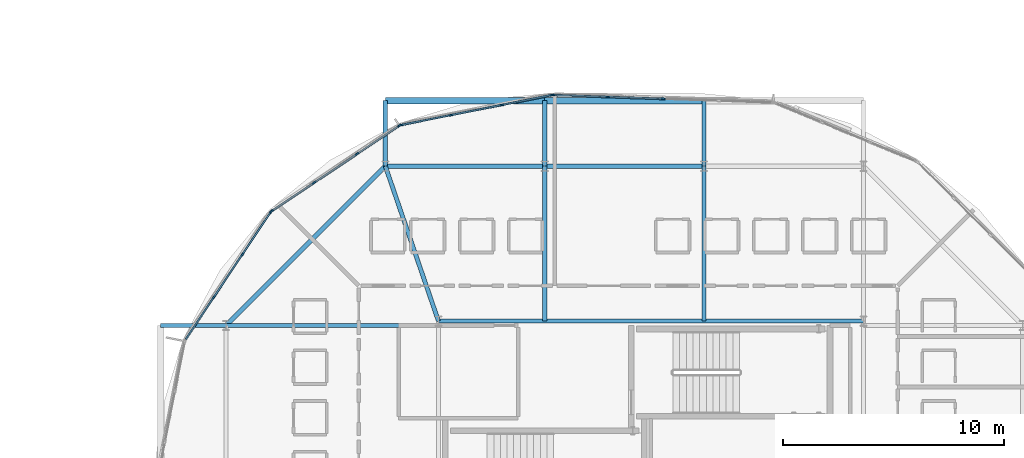
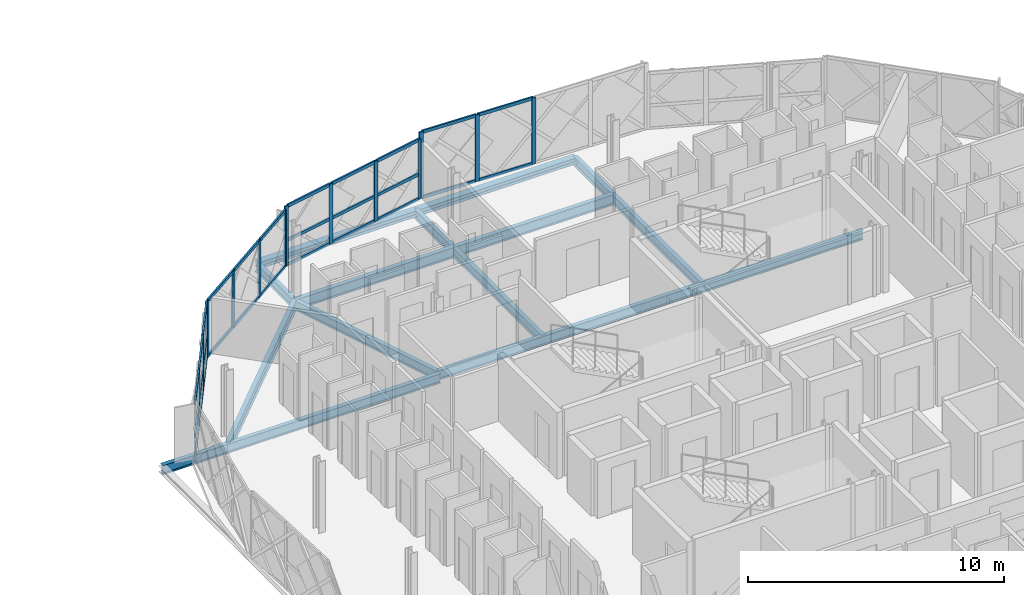
# One storey, part 10 of 25: 42 members, 14 beams, 4 elements without a shape of their own.
"""IFC4 building model written with IfcOpenShell, lengths in metres."""

from ifc_helpers import new_model, si_unit, direction, frame, origin, origin_2d, place, context, subcontext, project, spatial, rectangle, i_section, extrude, material, layer, layer_set, material_profile, profile_set, type_object, element, aggregate, save


model = new_model("IFC4")

# Units and contexts
model_context = context("Model", 3, precision=1e-05, world=origin(), true_north=direction((0.0, 1.0)))
body_context = subcontext(model_context, "Body", "Model", "MODEL_VIEW")
ifc_project = project(units=[si_unit("LENGTHUNIT", "METRE"), si_unit("AREAUNIT", "SQUARE_METRE"), si_unit("VOLUMEUNIT", "CUBIC_METRE"), si_unit("PLANEANGLEUNIT", "RADIAN"), si_unit("MASSUNIT", "GRAM", prefix="KILO")], contexts=[model_context])

# Site, building, storey
site_placement = place(None, origin())
site = spatial("IfcSite", under=ifc_project, at=site_placement, CompositionType="ELEMENT")
building_placement = place(site_placement, origin())
building = spatial("IfcBuilding", under=site, at=building_placement, Name="Zevrakil Square Congress Hotel", CompositionType="ELEMENT")
storey_placement = place(building_placement, frame((0.0, 0.0, 28.300048828125)))
storey = spatial("IfcBuildingStorey", under=building, at=storey_placement, Name="L08", CompositionType="ELEMENT", Elevation=28.300048828125)

# Beams
ifc_material_1 = material(Name="Steel S355", Category="steel")
ifc_material_profile_1 = material_profile(ifc_material_1, i_section(OverallWidth=0.18994140625, OverallDepth=0.449951171875, WebThickness=0.009521484375, FlangeThickness=0.0146484375, FilletRadius=0.02099609375, at=origin_2d()), Name="IPE 450")
ifc_profile_set_1 = profile_set([ifc_material_profile_1], Name="Steel S355")
beam_type_1 = type_object("IfcBeamType", Name="BM-IPE450", PredefinedType="BEAM", material=ifc_profile_set_1)
beam_1_placement = place(storey_placement, frame((156.0, 38.60009765625, -0.43505859375), z_axis=(-1.0, 0.0, 0.0), x_axis=(0.0, -1.0, 0.0)))
element("IfcBeam", 1, at=beam_1_placement, inside=storey, type_object=beam_type_1, Name="L08 drum core perimeter tie beam DCB-03", PredefinedType="BEAM", context=body_context, shape_type="SweptSolid", body=[
    extrude(i_section(OverallWidth=0.18994140625, OverallDepth=0.449951171875, WebThickness=0.009521484375, FlangeThickness=0.0146484375, FilletRadius=0.02099609375, at=origin_2d()), origin(), (0.0, 0.0, 1.0), 19.199951171875),
])
beam_2_placement = place(storey_placement, frame((148.800048828125, 38.60009765625, -0.43505859375), z_axis=(0.0, 1.0, 0.0), x_axis=(-1.0, 0.0, 0.0)))
element("IfcBeam", 2, at=beam_2_placement, inside=storey, type_object=beam_type_1, Name="L08 drum radial floor beam DRI-10", PredefinedType="BEAM", context=body_context, shape_type="SweptSolid", body=[
    extrude(i_section(OverallWidth=0.18994140625, OverallDepth=0.449951171875, WebThickness=0.009521484375, FlangeThickness=0.0146484375, FilletRadius=0.02099609375, at=origin_2d()), origin(), (0.0, 0.0, 1.0), 7.0),
])
beam_3_placement = place(storey_placement, frame((148.800048828125, 45.60009765625, -0.43505859375), z_axis=(0.0, 1.0, 0.0), x_axis=(-1.0, 0.0, 0.0)))
element("IfcBeam", 3, at=beam_3_placement, inside=storey, type_object=beam_type_1, Name="L08 drum radial edge cantilever beam DRO-10", PredefinedType="BEAM", context=body_context, shape_type="SweptSolid", body=[
    extrude(i_section(OverallWidth=0.18994140625, OverallDepth=0.449951171875, WebThickness=0.009521484375, FlangeThickness=0.0146484375, FilletRadius=0.02099609375, at=origin_2d()), origin(), (0.0, 0.0, 1.0), 2.954345703125),
])
beam_4_placement = place(storey_placement, frame((141.60009765625, 38.60009765625, -0.43505859375), z_axis=(0.0, 1.0, 0.0), x_axis=(-1.0, 0.0, 0.0)))
element("IfcBeam", 4, at=beam_4_placement, inside=storey, type_object=beam_type_1, Name="L08 drum radial floor beam DRI-11", PredefinedType="BEAM", context=body_context, shape_type="SweptSolid", body=[
    extrude(i_section(OverallWidth=0.18994140625, OverallDepth=0.449951171875, WebThickness=0.009521484375, FlangeThickness=0.0146484375, FilletRadius=0.02099609375, at=origin_2d()), origin(), (0.0, 0.0, 1.0), 7.0),
])
beam_5_placement = place(storey_placement, frame((141.60009765625, 45.60009765625, -0.43505859375), z_axis=(0.0, 1.0, 0.0), x_axis=(-1.0, 0.0, 0.0)))
element("IfcBeam", 5, at=beam_5_placement, inside=storey, type_object=beam_type_1, Name="L08 drum radial edge cantilever beam DRO-11", PredefinedType="BEAM", context=body_context, shape_type="SweptSolid", body=[
    extrude(i_section(OverallWidth=0.18994140625, OverallDepth=0.449951171875, WebThickness=0.009521484375, FlangeThickness=0.0146484375, FilletRadius=0.02099609375, at=origin_2d()), origin(), (0.0, 0.0, 1.0), 2.954345703125),
])
beam_6_placement = place(storey_placement, frame((136.800048828125, 38.60009765625, -0.43505859375), z_axis=(-0.324342037158, 0.945939872789, 0.0), x_axis=(-0.945939872789, -0.324342037158, 0.0)))
element("IfcBeam", 6, at=beam_6_placement, inside=storey, type_object=beam_type_1, Name="L08 drum radial floor beam DRI-12", PredefinedType="BEAM", context=body_context, shape_type="SweptSolid", body=[
    extrude(i_section(OverallWidth=0.18994140625, OverallDepth=0.449951171875, WebThickness=0.009521484375, FlangeThickness=0.0146484375, FilletRadius=0.02099609375, at=origin_2d()), origin(), (0.0, 0.0, 1.0), 7.400146484375),
])
beam_7_placement = place(storey_placement, frame((134.39990234375, 45.60009765625, -0.43505859375), z_axis=(0.0, 1.0, 0.0), x_axis=(-1.0, 0.0, 0.0)))
element("IfcBeam", 7, at=beam_7_placement, inside=storey, type_object=beam_type_1, Name="L08 drum radial edge cantilever beam DRO-12", PredefinedType="BEAM", context=body_context, shape_type="SweptSolid", body=[
    extrude(i_section(OverallWidth=0.18994140625, OverallDepth=0.449951171875, WebThickness=0.009521484375, FlangeThickness=0.0146484375, FilletRadius=0.02099609375, at=origin_2d()), origin(), (0.0, 0.0, 1.0), 2.954345703125),
])
beam_8_placement = place(storey_placement, frame((136.800048828125, 38.39990234375, -0.43505859375), z_axis=(-1.0, 0.0, 0.0), x_axis=(0.0, -1.0, 0.0)))
element("IfcBeam", 8, at=beam_8_placement, inside=storey, type_object=beam_type_1, Name="L08 drum radial floor beam DRI-13", PredefinedType="BEAM", context=body_context, shape_type="SweptSolid", body=[
    extrude(i_section(OverallWidth=0.18994140625, OverallDepth=0.449951171875, WebThickness=0.009521484375, FlangeThickness=0.0146484375, FilletRadius=0.02099609375, at=origin_2d()), origin(), (0.0, 0.0, 1.0), 9.60009765625),
])
beam_9_placement = place(storey_placement, frame((127.199951171875, 38.39990234375, -0.43505859375), z_axis=(-1.0, 0.0, 0.0), x_axis=(0.0, -1.0, 0.0)))
element("IfcBeam", 9, at=beam_9_placement, inside=storey, type_object=beam_type_1, Name="L08 drum radial edge cantilever beam DRO-13", PredefinedType="BEAM", context=body_context, shape_type="SweptSolid", body=[
    extrude(i_section(OverallWidth=0.18994140625, OverallDepth=0.449951171875, WebThickness=0.009521484375, FlangeThickness=0.0146484375, FilletRadius=0.02099609375, at=origin_2d()), origin(), (0.0, 0.0, 1.0), 2.954345703125),
])
ifc_material_2 = material(Name="Steel S355", Category="steel")
ifc_material_profile_2 = material_profile(ifc_material_2, i_section(OverallWidth=0.199951171875, OverallDepth=0.5, WebThickness=0.01025390625, FlangeThickness=0.01611328125, FilletRadius=0.02099609375, at=origin_2d()), Name="IPE 500")
ifc_profile_set_2 = profile_set([ifc_material_profile_2], Name="Steel S355")
beam_type_2 = type_object("IfcBeamType", Name="BM-IPE500", PredefinedType="BEAM", material=ifc_profile_set_2)
beam_10_placement = place(storey_placement, frame((148.800048828125, 45.60009765625, -0.4599609375), z_axis=(-1.0, 0.0, 0.0), x_axis=(0.0, -1.0, 0.0)))
element("IfcBeam", 10, at=beam_10_placement, inside=storey, type_object=beam_type_2, Name="L08 drum ring girder DRB-10", PredefinedType="BEAM", context=body_context, shape_type="SweptSolid", body=[
    extrude(i_section(OverallWidth=0.199951171875, OverallDepth=0.5, WebThickness=0.01025390625, FlangeThickness=0.01611328125, FilletRadius=0.02099609375, at=origin_2d()), origin(), (0.0, 0.0, 1.0), 7.199951171875),
])
beam_11_placement = place(storey_placement, frame((141.60009765625, 45.60009765625, -0.4599609375), z_axis=(-1.0, 0.0, 0.0), x_axis=(0.0, -1.0, 0.0)))
element("IfcBeam", 11, at=beam_11_placement, inside=storey, type_object=beam_type_2, Name="L08 drum ring girder DRB-11", PredefinedType="BEAM", context=body_context, shape_type="SweptSolid", body=[
    extrude(i_section(OverallWidth=0.199951171875, OverallDepth=0.5, WebThickness=0.01025390625, FlangeThickness=0.01611328125, FilletRadius=0.02099609375, at=origin_2d()), origin(), (0.0, 0.0, 1.0), 7.2001953125),
])
beam_12_placement = place(storey_placement, frame((134.39990234375, 45.60009765625, -0.4599609375), z_axis=(-0.70709479277, -0.7071187694, 0.0), x_axis=(0.7071187694, -0.70709479277, 0.0)))
element("IfcBeam", 12, at=beam_12_placement, inside=storey, type_object=beam_type_2, Name="L08 drum ring girder DRB-12", PredefinedType="BEAM", context=body_context, shape_type="SweptSolid", body=[
    extrude(i_section(OverallWidth=0.199951171875, OverallDepth=0.5, WebThickness=0.01025390625, FlangeThickness=0.01611328125, FilletRadius=0.02099609375, at=origin_2d()), origin(), (0.0, 0.0, 1.0), 10.182373046875),
])

# Curtain wall, members
ifc_material_3 = material(Name="Aluminium Anodised Bronze", Category="aluminium")
ifc_layer_1 = layer(ifc_material_3, 0.179931640625)
ifc_layer_set_1 = layer_set([ifc_layer_1], Name="Aluminium Anodised Bronze")
curtain_wall_type_1 = type_object("IfcCurtainWallType", Name="CW-L08-900", PredefinedType="USERDEFINED", material=ifc_layer_set_1)
curtain_wall_1_placement = place(storey_placement, origin())
curtain_wall_1 = element("IfcCurtainWall", 13, at=curtain_wall_1_placement, inside=storey, type_object=curtain_wall_type_1, Name="L08 diamond curtain wall CW-L08-0243", ObjectType="GLAZED CURTAIN WALL", PredefinedType="USERDEFINED")
ifc_material_4 = material(Name="Aluminium Anodised Bronze", Category="aluminium")
ifc_material_profile_3 = material_profile(ifc_material_4, rectangle(XDim=0.074951171875, YDim=0.14990234375, at=origin_2d()), Name="ALU 75x150")
ifc_profile_set_3 = profile_set([ifc_material_profile_3], Name="Aluminium Anodised Bronze")
member_type_1 = type_object("IfcMemberType", Name="CWM-ALU75x150", PredefinedType="USERDEFINED", material=ifc_profile_set_3)
member_1_placement = place(storey_placement, frame((146.92138671875, 48.64306640625, 0.030029296875), z_axis=(-0.999407420419, 0.034421040236, 0.0), x_axis=(-0.034421040236, -0.999407420419, 0.0)))
member_1 = element("IfcMember", 14, at=member_1_placement, type_object=member_type_1, Name="CW-96 transom 3.1", ObjectType="TRANSOM", PredefinedType="USERDEFINED", context=body_context, shape_type="SweptSolid", body=[
    extrude(rectangle(XDim=0.074951171875, YDim=0.14990234375, at=origin_2d()), origin(), (0.0, 0.0, 1.0), 2.447021484375),
])
member_2_placement = place(storey_placement, frame((146.92138671875, 48.64306640625, 3.14501953125), z_axis=(-0.999407420419, 0.034421040236, 0.0), x_axis=(-0.034421040236, -0.999407420419, 0.0)))
member_2 = element("IfcMember", 15, at=member_2_placement, type_object=member_type_1, Name="CW-96 transom 3.2", ObjectType="TRANSOM", PredefinedType="USERDEFINED", context=body_context, shape_type="SweptSolid", body=[
    extrude(rectangle(XDim=0.074951171875, YDim=0.14990234375, at=origin_2d()), origin(), (0.0, 0.0, 1.0), 2.447021484375),
])
member_3_placement = place(storey_placement, frame((144.416015625, 48.729248046875, 0.030029296875), z_axis=(-0.999406599032, 0.034444880763, 0.0), x_axis=(-0.034444880763, -0.999406599032, 0.0)))
member_3 = element("IfcMember", 16, at=member_3_placement, type_object=member_type_1, Name="CW-96 transom 4.1", ObjectType="TRANSOM", PredefinedType="USERDEFINED", context=body_context, shape_type="SweptSolid", body=[
    extrude(rectangle(XDim=0.074951171875, YDim=0.14990234375, at=origin_2d()), origin(), (0.0, 0.0, 1.0), 2.4169921875),
])
member_4_placement = place(storey_placement, frame((144.416015625, 48.729248046875, 3.14501953125), z_axis=(-0.999406599032, 0.034444880763, 0.0), x_axis=(-0.034444880763, -0.999406599032, 0.0)))
member_4 = element("IfcMember", 17, at=member_4_placement, type_object=member_type_1, Name="CW-96 transom 4.2", ObjectType="TRANSOM", PredefinedType="USERDEFINED", context=body_context, shape_type="SweptSolid", body=[
    extrude(rectangle(XDim=0.074951171875, YDim=0.14990234375, at=origin_2d()), origin(), (0.0, 0.0, 1.0), 2.4169921875),
])

ifc_material_5 = material(Name="Aluminium Anodised Bronze", Category="aluminium")
ifc_layer_2 = layer(ifc_material_5, 0.179931640625)
ifc_layer_set_2 = layer_set([ifc_layer_2], Name="Aluminium Anodised Bronze")
curtain_wall_type_2 = type_object("IfcCurtainWallType", Name="CW-L08-720", PredefinedType="USERDEFINED", material=ifc_layer_set_2)
curtain_wall_2_placement = place(storey_placement, origin())
curtain_wall_2 = element("IfcCurtainWall", 18, at=curtain_wall_2_placement, inside=storey, type_object=curtain_wall_type_2, Name="L08 diamond curtain wall CW-L08-0244", ObjectType="GLAZED CURTAIN WALL", PredefinedType="USERDEFINED")
member_5_placement = place(storey_placement, frame((141.881591796875, 48.802734375, 0.030029296875), z_axis=(-0.98078922397, -0.195070495322, 0.0), x_axis=(0.195070495322, -0.98078922397, 0.0)))
member_5 = element("IfcMember", 19, at=member_5_placement, type_object=member_type_1, Name="CW-94 transom 1.1", ObjectType="TRANSOM", PredefinedType="USERDEFINED", context=body_context, shape_type="SweptSolid", body=[
    extrude(rectangle(XDim=0.074951171875, YDim=0.14990234375, at=origin_2d()), origin(), (0.0, 0.0, 1.0), 2.245361328125),
])
member_6_placement = place(storey_placement, frame((141.881591796875, 48.802734375, 1.201171875), z_axis=(-0.98078922397, -0.195070495322, 0.0), x_axis=(0.195070495322, -0.98078922397, 0.0)))
member_6 = element("IfcMember", 20, at=member_6_placement, type_object=member_type_1, Name="CW-94 transom 1.2", ObjectType="TRANSOM", PredefinedType="USERDEFINED", context=body_context, shape_type="SweptSolid", body=[
    extrude(rectangle(XDim=0.074951171875, YDim=0.14990234375, at=origin_2d()), origin(), (0.0, 0.0, 1.0), 2.245361328125),
])
member_7_placement = place(storey_placement, frame((141.881591796875, 48.802734375, 2.829833984375), z_axis=(-0.98078922397, -0.195070495322, 0.0), x_axis=(0.195070495322, -0.98078922397, 0.0)))
member_7 = element("IfcMember", 21, at=member_7_placement, type_object=member_type_1, Name="CW-94 transom 1.3", ObjectType="TRANSOM", PredefinedType="USERDEFINED", context=body_context, shape_type="SweptSolid", body=[
    extrude(rectangle(XDim=0.074951171875, YDim=0.14990234375, at=origin_2d()), origin(), (0.0, 0.0, 1.0), 2.245361328125),
])
member_8_placement = place(storey_placement, frame((139.62060546875, 48.35302734375, 0.030029296875), z_axis=(-0.980786492568, -0.195084227953, 0.0), x_axis=(0.195084227953, -0.980786492568, 0.0)))
member_8 = element("IfcMember", 22, at=member_8_placement, type_object=member_type_1, Name="CW-94 transom 2.1", ObjectType="TRANSOM", PredefinedType="USERDEFINED", context=body_context, shape_type="SweptSolid", body=[
    extrude(rectangle(XDim=0.074951171875, YDim=0.14990234375, at=origin_2d()), origin(), (0.0, 0.0, 1.0), 2.275146484375),
])
member_9_placement = place(storey_placement, frame((139.62060546875, 48.35302734375, 1.201171875), z_axis=(-0.980786492568, -0.195084227953, 0.0), x_axis=(0.195084227953, -0.980786492568, 0.0)))
member_9 = element("IfcMember", 23, at=member_9_placement, type_object=member_type_1, Name="CW-94 transom 2.2", ObjectType="TRANSOM", PredefinedType="USERDEFINED", context=body_context, shape_type="SweptSolid", body=[
    extrude(rectangle(XDim=0.074951171875, YDim=0.14990234375, at=origin_2d()), origin(), (0.0, 0.0, 1.0), 2.275146484375),
])
member_10_placement = place(storey_placement, frame((139.62060546875, 48.35302734375, 2.829833984375), z_axis=(-0.980786492568, -0.195084227953, 0.0), x_axis=(0.195084227953, -0.980786492568, 0.0)))
member_10 = element("IfcMember", 24, at=member_10_placement, type_object=member_type_1, Name="CW-94 transom 2.3", ObjectType="TRANSOM", PredefinedType="USERDEFINED", context=body_context, shape_type="SweptSolid", body=[
    extrude(rectangle(XDim=0.074951171875, YDim=0.14990234375, at=origin_2d()), origin(), (0.0, 0.0, 1.0), 2.275146484375),
])
member_11_placement = place(storey_placement, frame((137.330322265625, 47.8974609375, 0.030029296875), z_axis=(-0.98078922397, -0.195070495322, 0.0), x_axis=(0.195070495322, -0.98078922397, 0.0)))
member_11 = element("IfcMember", 25, at=member_11_placement, type_object=member_type_1, Name="CW-94 transom 3.1", ObjectType="TRANSOM", PredefinedType="USERDEFINED", context=body_context, shape_type="SweptSolid", body=[
    extrude(rectangle(XDim=0.074951171875, YDim=0.14990234375, at=origin_2d()), origin(), (0.0, 0.0, 1.0), 2.245361328125),
])
member_12_placement = place(storey_placement, frame((137.330322265625, 47.8974609375, 1.201171875), z_axis=(-0.98078922397, -0.195070495322, 0.0), x_axis=(0.195070495322, -0.98078922397, 0.0)))
member_12 = element("IfcMember", 26, at=member_12_placement, type_object=member_type_1, Name="CW-94 transom 3.2", ObjectType="TRANSOM", PredefinedType="USERDEFINED", context=body_context, shape_type="SweptSolid", body=[
    extrude(rectangle(XDim=0.074951171875, YDim=0.14990234375, at=origin_2d()), origin(), (0.0, 0.0, 1.0), 2.245361328125),
])
member_13_placement = place(storey_placement, frame((137.330322265625, 47.8974609375, 2.829833984375), z_axis=(-0.98078922397, -0.195070495322, 0.0), x_axis=(0.195070495322, -0.98078922397, 0.0)))
member_13 = element("IfcMember", 27, at=member_13_placement, type_object=member_type_1, Name="CW-94 transom 3.3", ObjectType="TRANSOM", PredefinedType="USERDEFINED", context=body_context, shape_type="SweptSolid", body=[
    extrude(rectangle(XDim=0.074951171875, YDim=0.14990234375, at=origin_2d()), origin(), (0.0, 0.0, 1.0), 2.245361328125),
])

curtain_wall_3_placement = place(storey_placement, origin())
curtain_wall_3 = element("IfcCurtainWall", 28, at=curtain_wall_3_placement, inside=storey, type_object=curtain_wall_type_2, Name="L08 diamond curtain wall CW-L08-0245", ObjectType="GLAZED CURTAIN WALL", PredefinedType="USERDEFINED")
member_14_placement = place(storey_placement, frame((135.01953125, 47.41455078125, 0.030029296875), z_axis=(-0.831447614853, -0.555603153119, 0.0), x_axis=(0.555603153119, -0.831447614853, 0.0)))
member_14 = element("IfcMember", 29, at=member_14_placement, type_object=member_type_1, Name="CW-94 transom 1.1", ObjectType="TRANSOM", PredefinedType="USERDEFINED", context=body_context, shape_type="SweptSolid", body=[
    extrude(rectangle(XDim=0.074951171875, YDim=0.14990234375, at=origin_2d()), origin(), (0.0, 0.0, 1.0), 2.245361328125),
])
member_15_placement = place(storey_placement, frame((135.01953125, 47.41455078125, 2.679931640625), z_axis=(-0.831447614853, -0.555603153119, 0.0), x_axis=(0.555603153119, -0.831447614853, 0.0)))
member_15 = element("IfcMember", 30, at=member_15_placement, type_object=member_type_1, Name="CW-94 transom 1.2", ObjectType="TRANSOM", PredefinedType="USERDEFINED", context=body_context, shape_type="SweptSolid", body=[
    extrude(rectangle(XDim=0.074951171875, YDim=0.14990234375, at=origin_2d()), origin(), (0.0, 0.0, 1.0), 2.245361328125),
])
member_16_placement = place(storey_placement, frame((133.102783203125, 46.1337890625, 0.030029296875), z_axis=(-0.831455548606, -0.555591280253, 0.0), x_axis=(0.555591280253, -0.831455548606, 0.0)))
member_16 = element("IfcMember", 31, at=member_16_placement, type_object=member_type_1, Name="CW-94 transom 2.1", ObjectType="TRANSOM", PredefinedType="USERDEFINED", context=body_context, shape_type="SweptSolid", body=[
    extrude(rectangle(XDim=0.074951171875, YDim=0.14990234375, at=origin_2d()), origin(), (0.0, 0.0, 1.0), 2.275390625),
])
member_17_placement = place(storey_placement, frame((133.102783203125, 46.1337890625, 2.679931640625), z_axis=(-0.831455548606, -0.555591280253, 0.0), x_axis=(0.555591280253, -0.831455548606, 0.0)))
member_17 = element("IfcMember", 32, at=member_17_placement, type_object=member_type_1, Name="CW-94 transom 2.2", ObjectType="TRANSOM", PredefinedType="USERDEFINED", context=body_context, shape_type="SweptSolid", body=[
    extrude(rectangle(XDim=0.074951171875, YDim=0.14990234375, at=origin_2d()), origin(), (0.0, 0.0, 1.0), 2.275390625),
])
member_18_placement = place(storey_placement, frame((131.1611328125, 44.83642578125, 0.030029296875), z_axis=(-0.831447614853, -0.555603153119, 0.0), x_axis=(0.555603153119, -0.831447614853, 0.0)))
member_18 = element("IfcMember", 33, at=member_18_placement, type_object=member_type_1, Name="CW-94 transom 3.1", ObjectType="TRANSOM", PredefinedType="USERDEFINED", context=body_context, shape_type="SweptSolid", body=[
    extrude(rectangle(XDim=0.074951171875, YDim=0.14990234375, at=origin_2d()), origin(), (0.0, 0.0, 1.0), 2.245361328125),
])
member_19_placement = place(storey_placement, frame((131.1611328125, 44.83642578125, 2.679931640625), z_axis=(-0.831447614853, -0.555603153119, 0.0), x_axis=(0.555603153119, -0.831447614853, 0.0)))
member_19 = element("IfcMember", 34, at=member_19_placement, type_object=member_type_1, Name="CW-94 transom 3.2", ObjectType="TRANSOM", PredefinedType="USERDEFINED", context=body_context, shape_type="SweptSolid", body=[
    extrude(rectangle(XDim=0.074951171875, YDim=0.14990234375, at=origin_2d()), origin(), (0.0, 0.0, 1.0), 2.245361328125),
])

curtain_wall_4_placement = place(storey_placement, origin())
curtain_wall_4 = element("IfcCurtainWall", 35, at=curtain_wall_4_placement, inside=storey, type_object=curtain_wall_type_2, Name="L08 diamond curtain wall CW-L08-0246", ObjectType="GLAZED CURTAIN WALL", PredefinedType="USERDEFINED")
member_20_placement = place(storey_placement, frame((129.211181640625, 43.505615234375, 0.030029296875), z_axis=(-0.555653384358, -0.83141404634, 0.0), x_axis=(0.83141404634, -0.555653384358, 0.0)))
member_20 = element("IfcMember", 36, at=member_20_placement, type_object=member_type_1, Name="CW-94 transom 1.1", ObjectType="TRANSOM", PredefinedType="USERDEFINED", context=body_context, shape_type="SweptSolid", body=[
    extrude(rectangle(XDim=0.074951171875, YDim=0.14990234375, at=origin_2d()), origin(), (0.0, 0.0, 1.0), 2.2451171875),
])
member_21_placement = place(storey_placement, frame((129.211181640625, 43.505615234375, 1.13818359375), z_axis=(-0.555653384358, -0.83141404634, 0.0), x_axis=(0.83141404634, -0.555653384358, 0.0)))
member_21 = element("IfcMember", 37, at=member_21_placement, type_object=member_type_1, Name="CW-94 transom 1.2", ObjectType="TRANSOM", PredefinedType="USERDEFINED", context=body_context, shape_type="SweptSolid", body=[
    extrude(rectangle(XDim=0.074951171875, YDim=0.14990234375, at=origin_2d()), origin(), (0.0, 0.0, 1.0), 2.2451171875),
])
member_22_placement = place(storey_placement, frame((129.211181640625, 43.505615234375, 2.679931640625), z_axis=(-0.555653384358, -0.83141404634, 0.0), x_axis=(0.83141404634, -0.555653384358, 0.0)))
member_22 = element("IfcMember", 38, at=member_22_placement, type_object=member_type_1, Name="CW-94 transom 1.3", ObjectType="TRANSOM", PredefinedType="USERDEFINED", context=body_context, shape_type="SweptSolid", body=[
    extrude(rectangle(XDim=0.074951171875, YDim=0.14990234375, at=origin_2d()), origin(), (0.0, 0.0, 1.0), 2.2451171875),
])
member_23_placement = place(storey_placement, frame((127.930419921875, 41.589111328125, 0.030029296875), z_axis=(-0.555591280253, -0.831455548606, 0.0), x_axis=(0.831455548606, -0.555591280253, 0.0)))
member_23 = element("IfcMember", 39, at=member_23_placement, type_object=member_type_1, Name="CW-94 transom 2.1", ObjectType="TRANSOM", PredefinedType="USERDEFINED", context=body_context, shape_type="SweptSolid", body=[
    extrude(rectangle(XDim=0.074951171875, YDim=0.14990234375, at=origin_2d()), origin(), (0.0, 0.0, 1.0), 2.275390625),
])
member_24_placement = place(storey_placement, frame((127.930419921875, 41.589111328125, 1.13818359375), z_axis=(-0.555591280253, -0.831455548606, 0.0), x_axis=(0.831455548606, -0.555591280253, 0.0)))
member_24 = element("IfcMember", 40, at=member_24_placement, type_object=member_type_1, Name="CW-94 transom 2.2", ObjectType="TRANSOM", PredefinedType="USERDEFINED", context=body_context, shape_type="SweptSolid", body=[
    extrude(rectangle(XDim=0.074951171875, YDim=0.14990234375, at=origin_2d()), origin(), (0.0, 0.0, 1.0), 2.275390625),
])
member_25_placement = place(storey_placement, frame((127.930419921875, 41.589111328125, 2.679931640625), z_axis=(-0.555591280253, -0.831455548606, 0.0), x_axis=(0.831455548606, -0.555591280253, 0.0)))
member_25 = element("IfcMember", 41, at=member_25_placement, type_object=member_type_1, Name="CW-94 transom 2.3", ObjectType="TRANSOM", PredefinedType="USERDEFINED", context=body_context, shape_type="SweptSolid", body=[
    extrude(rectangle(XDim=0.074951171875, YDim=0.14990234375, at=origin_2d()), origin(), (0.0, 0.0, 1.0), 2.275390625),
])
member_26_placement = place(storey_placement, frame((126.6328125, 39.647216796875, 0.030029296875), z_axis=(-0.555578212179, -0.831464280743, 0.0), x_axis=(0.831464280743, -0.555578212179, 0.0)))
member_26 = element("IfcMember", 42, at=member_26_placement, type_object=member_type_1, Name="CW-94 transom 3.1", ObjectType="TRANSOM", PredefinedType="USERDEFINED", context=body_context, shape_type="SweptSolid", body=[
    extrude(rectangle(XDim=0.074951171875, YDim=0.14990234375, at=origin_2d()), origin(), (0.0, 0.0, 1.0), 2.2451171875),
])
member_27_placement = place(storey_placement, frame((126.6328125, 39.647216796875, 1.13818359375), z_axis=(-0.555578212179, -0.831464280743, 0.0), x_axis=(0.831464280743, -0.555578212179, 0.0)))
member_27 = element("IfcMember", 43, at=member_27_placement, type_object=member_type_1, Name="CW-94 transom 3.2", ObjectType="TRANSOM", PredefinedType="USERDEFINED", context=body_context, shape_type="SweptSolid", body=[
    extrude(rectangle(XDim=0.074951171875, YDim=0.14990234375, at=origin_2d()), origin(), (0.0, 0.0, 1.0), 2.2451171875),
])
member_28_placement = place(storey_placement, frame((126.6328125, 39.647216796875, 2.679931640625), z_axis=(-0.555578212179, -0.831464280743, 0.0), x_axis=(0.831464280743, -0.555578212179, 0.0)))
member_28 = element("IfcMember", 44, at=member_28_placement, type_object=member_type_1, Name="CW-94 transom 3.3", ObjectType="TRANSOM", PredefinedType="USERDEFINED", context=body_context, shape_type="SweptSolid", body=[
    extrude(rectangle(XDim=0.074951171875, YDim=0.14990234375, at=origin_2d()), origin(), (0.0, 0.0, 1.0), 2.2451171875),
])

# Member
ifc_material_6 = material(Name="Aluminium Anodised Bronze", Category="aluminium")
ifc_material_profile_4 = material_profile(ifc_material_6, rectangle(XDim=0.074951171875, YDim=0.179931640625, at=origin_2d()), Name="ALU 75x180")
ifc_profile_set_4 = profile_set([ifc_material_profile_4], Name="Aluminium Anodised Bronze")
member_type_2 = type_object("IfcMemberType", Name="CWM-ALU75x180", PredefinedType="MULLION", material=ifc_profile_set_4)
member_29_placement = place(storey_placement, frame((146.951416015625, 48.64208984375, 0.0), z_axis=(0.0, 0.0, 1.0), x_axis=(-0.034404573593, -0.999407987418, 0.0)))
member_29 = element("IfcMember", 45, at=member_29_placement, type_object=member_type_2, Name="CW-96 mullion 3", PredefinedType="MULLION", context=body_context, shape_type="SweptSolid", body=[
    extrude(rectangle(XDim=0.074951171875, YDim=0.179931640625, at=origin_2d()), origin(), (0.0, 0.0, 1.0), 3.175048828125),
])

member_30_placement = place(storey_placement, frame((144.446044921875, 48.728271484375, 0.0), z_axis=(0.0, 0.0, 1.0), x_axis=(-0.034404573593, -0.999407987418, 0.0)))
member_30 = element("IfcMember", 46, at=member_30_placement, type_object=member_type_2, Name="CW-96 mullion 4", PredefinedType="MULLION", context=body_context, shape_type="SweptSolid", body=[
    extrude(rectangle(XDim=0.074951171875, YDim=0.179931640625, at=origin_2d()), origin(), (0.0, 0.0, 1.0), 3.175048828125),
])

member_31_placement = place(storey_placement, frame((141.970458984375, 48.8134765625, 0.0), z_axis=(0.0, 0.0, 1.0), x_axis=(-0.034404573593, -0.999407987418, 0.0)))
member_31 = element("IfcMember", 47, at=member_31_placement, type_object=member_type_2, Name="CW-96 mullion 5", PredefinedType="MULLION", context=body_context, shape_type="SweptSolid", body=[
    extrude(rectangle(XDim=0.074951171875, YDim=0.179931640625, at=origin_2d()), origin(), (0.0, 0.0, 1.0), 3.175048828125),
])

aggregate(curtain_wall_1, [member_29, member_30, member_31, member_1, member_2, member_3, member_4])

member_32_placement = place(storey_placement, frame((141.9111328125, 48.80859375, 0.0), z_axis=(0.0, 0.0, 1.0), x_axis=(0.195083900459, -0.980786557708, 0.0)))
member_32 = element("IfcMember", 48, at=member_32_placement, type_object=member_type_2, Name="CW-94 mullion 1", PredefinedType="MULLION", context=body_context, shape_type="SweptSolid", body=[
    extrude(rectangle(XDim=0.074951171875, YDim=0.179931640625, at=origin_2d()), origin(), (0.0, 0.0, 1.0), 2.85986328125),
])

member_33_placement = place(storey_placement, frame((139.650146484375, 48.35888671875, 0.0), z_axis=(0.0, 0.0, 1.0), x_axis=(0.195083900459, -0.980786557708, 0.0)))
member_33 = element("IfcMember", 49, at=member_33_placement, type_object=member_type_2, Name="CW-94 mullion 2", PredefinedType="MULLION", context=body_context, shape_type="SweptSolid", body=[
    extrude(rectangle(XDim=0.074951171875, YDim=0.179931640625, at=origin_2d()), origin(), (0.0, 0.0, 1.0), 2.85986328125),
])

member_34_placement = place(storey_placement, frame((137.35986328125, 47.9033203125, 0.0), z_axis=(0.0, 0.0, 1.0), x_axis=(0.195083900459, -0.980786557708, 0.0)))
member_34 = element("IfcMember", 50, at=member_34_placement, type_object=member_type_2, Name="CW-94 mullion 3", PredefinedType="MULLION", context=body_context, shape_type="SweptSolid", body=[
    extrude(rectangle(XDim=0.074951171875, YDim=0.179931640625, at=origin_2d()), origin(), (0.0, 0.0, 1.0), 2.85986328125),
])

member_35_placement = place(storey_placement, frame((135.098876953125, 47.45361328125, 0.0), z_axis=(0.0, 0.0, 1.0), x_axis=(0.195083900459, -0.980786557708, 0.0)))
member_35 = element("IfcMember", 51, at=member_35_placement, type_object=member_type_2, Name="CW-94 mullion 4", PredefinedType="MULLION", context=body_context, shape_type="SweptSolid", body=[
    extrude(rectangle(XDim=0.074951171875, YDim=0.179931640625, at=origin_2d()), origin(), (0.0, 0.0, 1.0), 2.85986328125),
])

aggregate(curtain_wall_2, [member_32, member_33, member_34, member_35, member_5, member_6, member_7, member_8, member_9, member_10, member_11, member_12, member_13])

member_36_placement = place(storey_placement, frame((135.04443359375, 47.43115234375, 0.0), z_axis=(0.0, 0.0, 1.0), x_axis=(0.555576098128, -0.831465693332, 0.0)))
member_36 = element("IfcMember", 52, at=member_36_placement, type_object=member_type_2, Name="CW-94 mullion 1", PredefinedType="MULLION", context=body_context, shape_type="SweptSolid", body=[
    extrude(rectangle(XDim=0.074951171875, YDim=0.179931640625, at=origin_2d()), origin(), (0.0, 0.0, 1.0), 2.7099609375),
])

member_37_placement = place(storey_placement, frame((133.127685546875, 46.150390625, 0.0), z_axis=(0.0, 0.0, 1.0), x_axis=(0.555576098128, -0.831465693332, 0.0)))
member_37 = element("IfcMember", 53, at=member_37_placement, type_object=member_type_2, Name="CW-94 mullion 2", PredefinedType="MULLION", context=body_context, shape_type="SweptSolid", body=[
    extrude(rectangle(XDim=0.074951171875, YDim=0.179931640625, at=origin_2d()), origin(), (0.0, 0.0, 1.0), 2.7099609375),
])

member_38_placement = place(storey_placement, frame((131.18603515625, 44.85302734375, 0.0), z_axis=(0.0, 0.0, 1.0), x_axis=(0.555576098128, -0.831465693332, 0.0)))
member_38 = element("IfcMember", 54, at=member_38_placement, type_object=member_type_2, Name="CW-94 mullion 3", PredefinedType="MULLION", context=body_context, shape_type="SweptSolid", body=[
    extrude(rectangle(XDim=0.074951171875, YDim=0.179931640625, at=origin_2d()), origin(), (0.0, 0.0, 1.0), 2.7099609375),
])

member_39_placement = place(storey_placement, frame((129.269287109375, 43.572265625, 0.0), z_axis=(0.0, 0.0, 1.0), x_axis=(0.555576098128, -0.831465693332, 0.0)))
member_39 = element("IfcMember", 55, at=member_39_placement, type_object=member_type_2, Name="CW-94 mullion 4", PredefinedType="MULLION", context=body_context, shape_type="SweptSolid", body=[
    extrude(rectangle(XDim=0.074951171875, YDim=0.179931640625, at=origin_2d()), origin(), (0.0, 0.0, 1.0), 2.7099609375),
])

aggregate(curtain_wall_3, [member_36, member_37, member_38, member_39, member_14, member_15, member_16, member_17, member_18, member_19])

member_40_placement = place(storey_placement, frame((129.227783203125, 43.53076171875, 0.0), z_axis=(0.0, 0.0, 1.0), x_axis=(0.831465693332, -0.555576098128, 0.0)))
member_40 = element("IfcMember", 56, at=member_40_placement, type_object=member_type_2, Name="CW-94 mullion 1", PredefinedType="MULLION", context=body_context, shape_type="SweptSolid", body=[
    extrude(rectangle(XDim=0.074951171875, YDim=0.179931640625, at=origin_2d()), origin(), (0.0, 0.0, 1.0), 2.7099609375),
])

member_41_placement = place(storey_placement, frame((127.947021484375, 41.614013671875, 0.0), z_axis=(0.0, 0.0, 1.0), x_axis=(0.831465693332, -0.555576098128, 0.0)))
member_41 = element("IfcMember", 57, at=member_41_placement, type_object=member_type_2, Name="CW-94 mullion 2", PredefinedType="MULLION", context=body_context, shape_type="SweptSolid", body=[
    extrude(rectangle(XDim=0.074951171875, YDim=0.179931640625, at=origin_2d()), origin(), (0.0, 0.0, 1.0), 2.7099609375),
])

member_42_placement = place(storey_placement, frame((126.649658203125, 39.67236328125, 0.0), z_axis=(0.0, 0.0, 1.0), x_axis=(0.831465693332, -0.555576098128, 0.0)))
member_42 = element("IfcMember", 58, at=member_42_placement, type_object=member_type_2, Name="CW-94 mullion 3", PredefinedType="MULLION", context=body_context, shape_type="SweptSolid", body=[
    extrude(rectangle(XDim=0.074951171875, YDim=0.179931640625, at=origin_2d()), origin(), (0.0, 0.0, 1.0), 2.7099609375),
])

aggregate(curtain_wall_4, [member_40, member_41, member_42, member_20, member_21, member_22, member_23, member_24, member_25, member_26, member_27, member_28])

# Beams
ifc_material_7 = material(Name="Steel S355", Category="steel")
ifc_material_profile_5 = material_profile(ifc_material_7, i_section(OverallWidth=0.300048828125, OverallDepth=0.300048828125, WebThickness=0.010986328125, FlangeThickness=0.01904296875, FilletRadius=0.027099609375, at=origin_2d()), Name="HEB 300")
ifc_profile_set_5 = profile_set([ifc_material_profile_5], Name="Steel S355")
beam_type_3 = type_object("IfcBeamType", Name="SPD-RHS250", PredefinedType="SPANDREL", material=ifc_profile_set_5)
beam_13_placement = place(storey_placement, frame((148.800048828125, 48.554443359375, -0.360107421875), z_axis=(-1.0, 0.0, 0.0), x_axis=(0.0, -1.0, 0.0)))
element("IfcBeam", 59, at=beam_13_placement, inside=storey, type_object=beam_type_3, Name="L08 drum edge spandrel beam DSP-09", PredefinedType="SPANDREL", context=body_context, shape_type="SweptSolid", body=[
    extrude(i_section(OverallWidth=0.300048828125, OverallDepth=0.300048828125, WebThickness=0.010986328125, FlangeThickness=0.01904296875, FilletRadius=0.027099609375, at=origin_2d()), origin(), (0.0, 0.0, 1.0), 7.199951171875),
])
beam_14_placement = place(storey_placement, frame((141.60009765625, 48.554443359375, -0.360107421875), z_axis=(-1.0, 0.0, 0.0), x_axis=(0.0, -1.0, 0.0)))
element("IfcBeam", 60, at=beam_14_placement, inside=storey, type_object=beam_type_3, Name="L08 drum edge spandrel beam DSP-10", PredefinedType="SPANDREL", context=body_context, shape_type="SweptSolid", body=[
    extrude(i_section(OverallWidth=0.300048828125, OverallDepth=0.300048828125, WebThickness=0.010986328125, FlangeThickness=0.01904296875, FilletRadius=0.027099609375, at=origin_2d()), origin(), (0.0, 0.0, 1.0), 7.2001953125),
])

save(model, "model.ifc")
